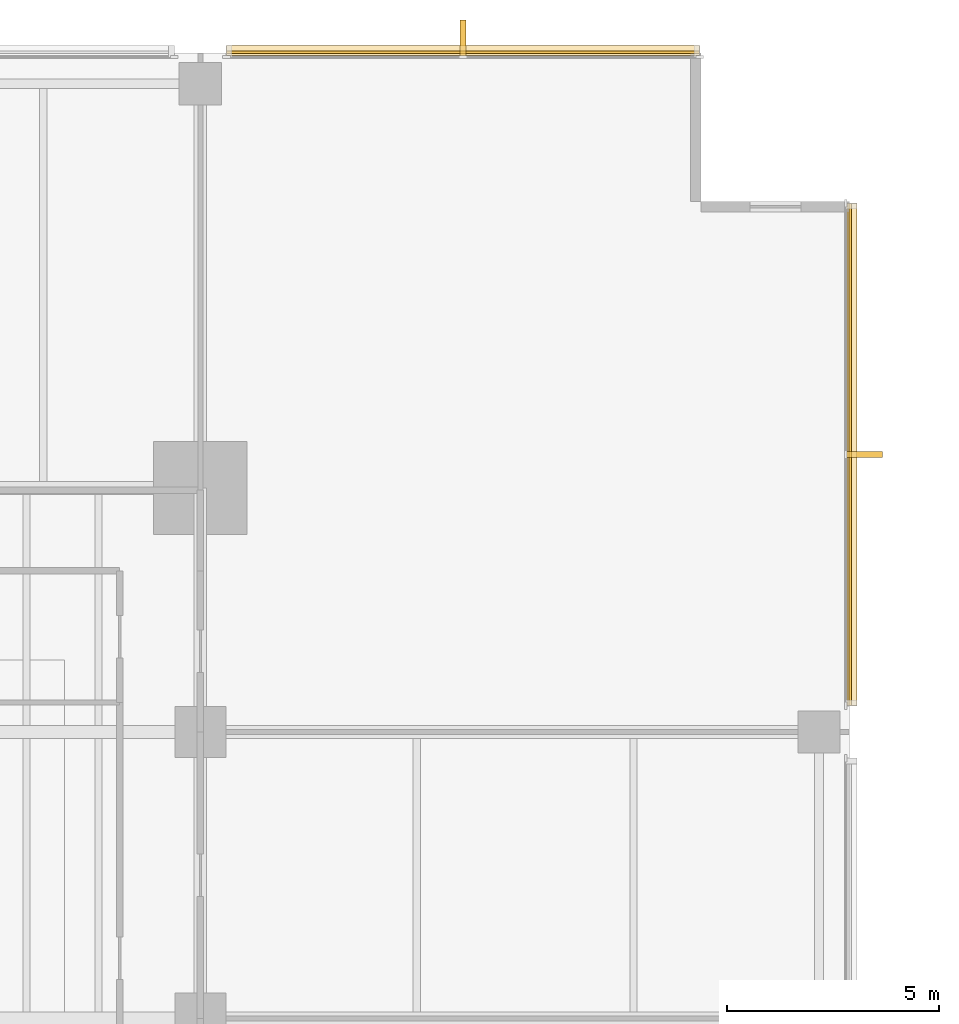
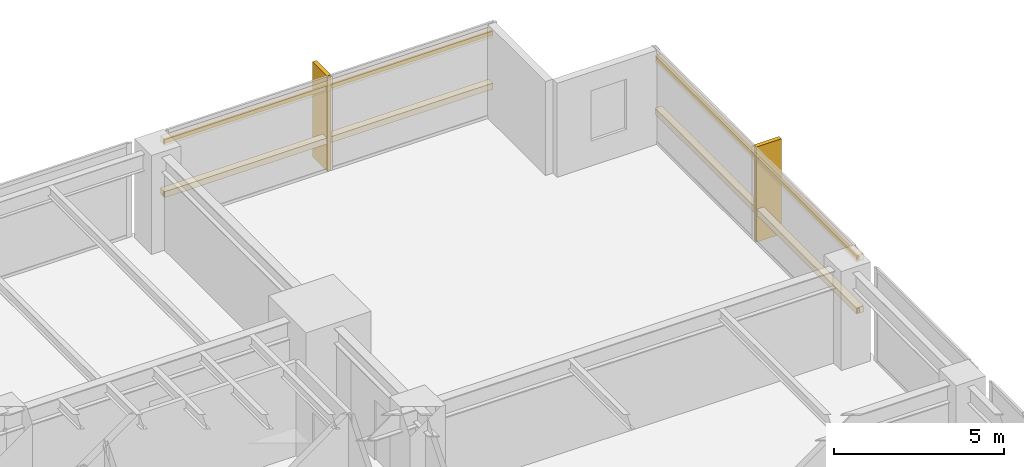
# One storey, part 15 of 15: 6 coverings, 4 shading devices.
"""IFC4 building model written with IfcOpenShell, lengths in metres."""

from ifc_helpers import new_model, si_unit, direction, frame, origin, origin_2d, place, context, subcontext, project, spatial, polyline, rectangle, outline, extrude, material, layer, layer_set, material_profile, profile_set, type_object, element, save


model = new_model("IFC4")

# Units and contexts
model_context = context("Model", 3, precision=1e-05, world=origin(), true_north=direction((0.0, 1.0)))
body_context = subcontext(model_context, "Body", "Model", "MODEL_VIEW")
ifc_project = project(units=[si_unit("LENGTHUNIT", "METRE"), si_unit("AREAUNIT", "SQUARE_METRE"), si_unit("VOLUMEUNIT", "CUBIC_METRE"), si_unit("PLANEANGLEUNIT", "RADIAN"), si_unit("MASSUNIT", "GRAM", prefix="KILO")], contexts=[model_context])

# Site, building, storey
site_placement = place(None, origin())
site = spatial("IfcSite", under=ifc_project, at=site_placement, CompositionType="ELEMENT")
building_placement = place(site_placement, origin())
building = spatial("IfcBuilding", under=site, at=building_placement, Name="Kinhvarn Gate Tower", CompositionType="ELEMENT")
storey_placement = place(building_placement, frame((0.0, 0.0, 29.14990234375)))
storey = spatial("IfcBuildingStorey", under=building, at=storey_placement, Name="L06", CompositionType="ELEMENT", Elevation=29.14990234375)

# Coverings
ifc_material = material(Name="Fired architectural terracotta", Category="masonry")
ifc_layer_1 = layer(ifc_material, 0.239990234375)
ifc_layer_set_1 = layer_set([ifc_layer_1], Name="Fired architectural terracotta")
covering_type_1 = type_object("IfcCoveringType", Name="COV-BAG-220", PredefinedType="CLADDING", material=ifc_layer_set_1)
for number, where, name in (
    (1, (0.0, 0.0, 0.940185546875), "Terracotta Horizontal Sunscreen Band TBG-220 (L06)"),
    (2, (0.0, 0.0, 2.81005859375), "Terracotta Horizontal Sunscreen Band TBG-220 (L06)"),
):
    element("IfcCovering", number, at=place(storey_placement, frame(where)), inside=storey, type_object=covering_type_1, Name=name, PredefinedType="CLADDING", context=body_context, shape_type="SweptSolid", body=[
        extrude(outline(polyline([(49.9599609375, 47.93994140625), (38.820068359375, 47.93994140625), (38.820068359375, 48.179931640625), (49.9599609375, 48.179931640625), (49.9599609375, 47.93994140625)])), origin(), (0.0, 0.0, 1.0), 0.219970703125),
    ])
for number, where, name in (
    (3, (0.0, 0.0, 0.940185546875), "Terracotta Horizontal Sunscreen Band TBG-220 (L06)"),
    (4, (0.0, 0.0, 2.81005859375), "Terracotta Horizontal Sunscreen Band TBG-220 (L06)"),
):
    element("IfcCovering", number, at=place(storey_placement, frame(where)), inside=storey, type_object=covering_type_1, Name=name, PredefinedType="CLADDING", context=body_context, shape_type="SweptSolid", body=[
        extrude(outline(polyline([(53.43994140625, 32.6201171875), (53.43994140625, 44.4599609375), (53.679931640625, 44.4599609375), (53.679931640625, 32.6201171875), (53.43994140625, 32.6201171875)])), origin(), (0.0, 0.0, 1.0), 0.219970703125),
    ])
ifc_layer_2 = layer(ifc_material, 0.139892578125)
ifc_layer_set_2 = layer_set([ifc_layer_2], Name="Fired architectural terracotta")
covering_type_2 = type_object("IfcCoveringType", Name="COV-FIN-850", PredefinedType="CLADDING", material=ifc_layer_set_2)
covering_1_placement = place(storey_placement, frame((0.0, 0.0, -0.02001953125)))
element("IfcCovering", 5, at=covering_1_placement, inside=storey, type_object=covering_type_2, Name="Vertical Terracotta Expressive Fin TFN-850 (L06)", PredefinedType="CLADDING", context=body_context, shape_type="SweptSolid", body=[
    extrude(outline(polyline([(44.4599609375, 47.929931640625), (44.320068359375, 47.929931640625), (44.320068359375, 48.780029296875), (44.4599609375, 48.780029296875), (44.4599609375, 47.929931640625)])), origin(), (0.0, 0.0, 1.0), 3.41015625),
])
covering_2_placement = place(storey_placement, frame((0.0, 0.0, -0.02001953125)))
element("IfcCovering", 6, at=covering_2_placement, inside=storey, type_object=covering_type_2, Name="Vertical Terracotta Expressive Fin TFN-850 (L06)", PredefinedType="CLADDING", context=body_context, shape_type="SweptSolid", body=[
    extrude(outline(polyline([(53.429931640625, 38.469970703125), (53.429931640625, 38.610107421875), (54.280029296875, 38.610107421875), (54.280029296875, 38.469970703125), (53.429931640625, 38.469970703125)])), origin(), (0.0, 0.0, 1.0), 3.41015625),
])

# Shading devices
ifc_material_profile = material_profile(ifc_material, rectangle(XDim=0.06005859375, YDim=0.139892578125, at=origin_2d()), Name="TC 60x140")
ifc_profile_set = profile_set([ifc_material_profile], Name="Fired architectural terracotta")
shading_device_type = type_object("IfcShadingDeviceType", Name="SHD-BAG-180", PredefinedType="USERDEFINED", material=ifc_profile_set)
for number, where, z_axis, x_axis, name in (
    (7, (49.9599609375, 48.014892578125, 1.050048828125), (-1.0, 0.0, 0.0), (0.0, -1.0, 0.0), "Fired Terracotta Baguette Screen Rod 60x140 mm (L06)"),
    (8, (49.9599609375, 48.014892578125, 2.920166015625), (-1.0, 0.0, 0.0), (0.0, -1.0, 0.0), "Fired Terracotta Baguette Screen Rod 60x140 mm (L06)"),
):
    element("IfcShadingDevice", number, at=place(storey_placement, frame(where, z_axis=z_axis, x_axis=x_axis)), inside=storey, type_object=shading_device_type, Name=name, ObjectType="BAGUETTE", PredefinedType="USERDEFINED", context=body_context, shape_type="SweptSolid", body=[
        extrude(rectangle(XDim=0.06005859375, YDim=0.139892578125, at=origin_2d()), origin(), (0.0, 0.0, 1.0), 11.139892578125),
    ])
for number, where, z_axis, x_axis, name in (
    (9, (53.514892578125, 32.6201171875, 1.050048828125), (0.0, 1.0, 0.0), (-1.0, 0.0, 0.0), "Fired Terracotta Baguette Screen Rod 60x140 mm (L06)"),
    (10, (53.514892578125, 32.6201171875, 2.920166015625), (0.0, 1.0, 0.0), (-1.0, 0.0, 0.0), "Fired Terracotta Baguette Screen Rod 60x140 mm (L06)"),
):
    element("IfcShadingDevice", number, at=place(storey_placement, frame(where, z_axis=z_axis, x_axis=x_axis)), inside=storey, type_object=shading_device_type, Name=name, ObjectType="BAGUETTE", PredefinedType="USERDEFINED", context=body_context, shape_type="SweptSolid", body=[
        extrude(rectangle(XDim=0.06005859375, YDim=0.139892578125, at=origin_2d()), origin(), (0.0, 0.0, 1.0), 11.83984375),
    ])

save(model, "model.ifc")
